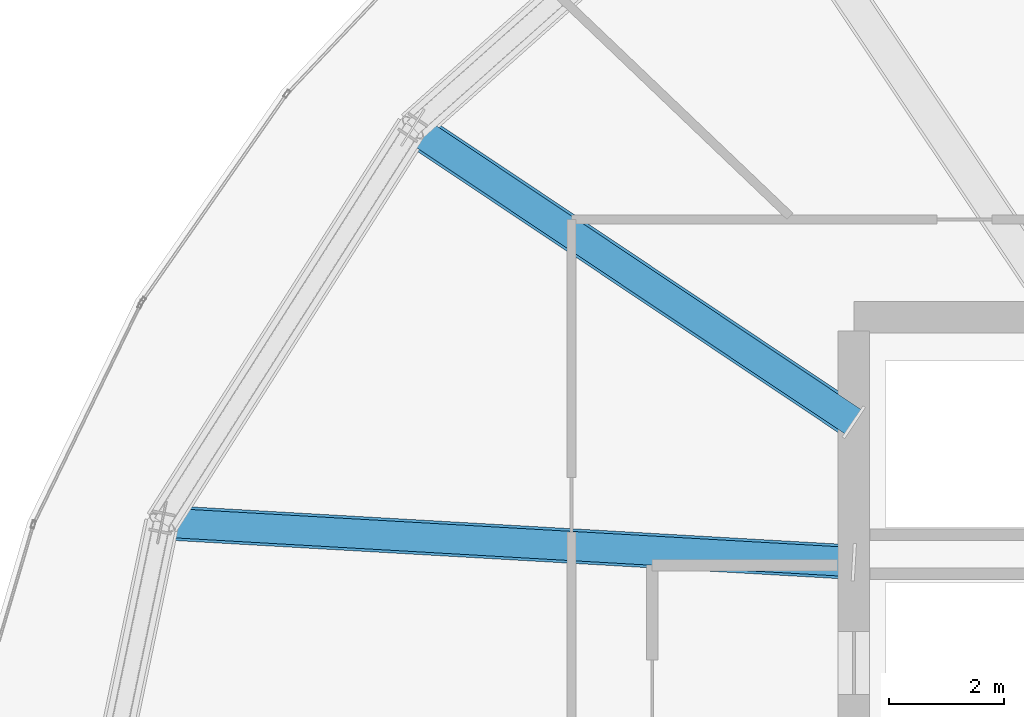
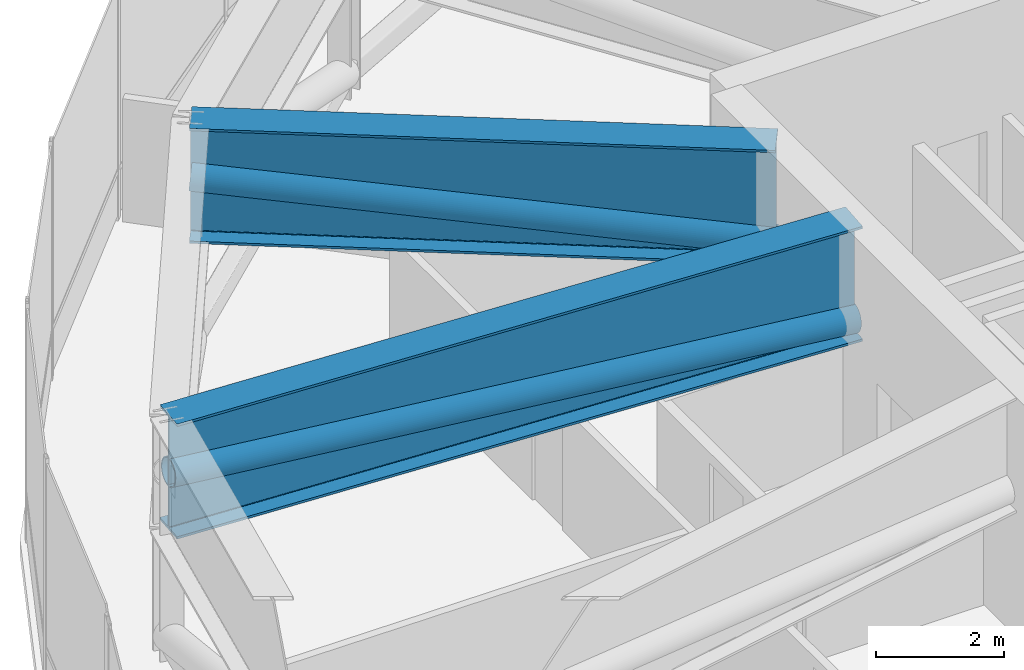
# One storey, part 12 of 30: 2 beams, 2 members.
"""IFC4 building model written with IfcOpenShell, lengths in metres."""

from ifc_helpers import new_model, si_unit, direction, frame, origin, origin_2d, place, context, subcontext, project, spatial, hollow_circle, i_section, extrude, source, transform, mapped, material, material_profile, profile_set, type_object, element, save


model = new_model("IFC4")

# Units and contexts
model_context = context("Model", 3, precision=1e-05, world=origin(), true_north=direction((0.0, 1.0)))
body_context = subcontext(model_context, "Body", "Model", "MODEL_VIEW")
ifc_project = project(units=[si_unit("LENGTHUNIT", "METRE"), si_unit("AREAUNIT", "SQUARE_METRE"), si_unit("VOLUMEUNIT", "CUBIC_METRE"), si_unit("PLANEANGLEUNIT", "RADIAN"), si_unit("MASSUNIT", "GRAM", prefix="KILO"), si_unit("THERMODYNAMICTEMPERATUREUNIT", "KELVIN")], contexts=[model_context])

# Site, building, storey
site_placement = place(None, origin())
site = spatial("IfcSite", under=ifc_project, at=site_placement, CompositionType="ELEMENT")
building_placement = place(site_placement, origin())
building = spatial("IfcBuilding", under=site, at=building_placement, Name="Kethvar Cultural Tower", CompositionType="ELEMENT")
storey_placement = place(building_placement, frame((0.0, 0.0, 171.39990234375)))
storey = spatial("IfcBuildingStorey", under=building, at=storey_placement, Name="L44", CompositionType="ELEMENT", Elevation=171.39990234375)

# Beam
ifc_material = material(Name="Steel S460M", Category="steel")
ifc_material_profile_1 = material_profile(ifc_material, i_section(OverallWidth=0.60009765625, OverallDepth=2.199951171875, WebThickness=0.028076171875, FlangeThickness=0.044921875, FilletRadius=0.02197265625, at=origin_2d()), Name="Steel S460M — PG2200x600x45x28")
ifc_profile_set_1 = profile_set([ifc_material_profile_1], Name="Steel S460M — PG2200x600x45x28")
beam_type = type_object("IfcBeamType", Name="BM-TR2200", PredefinedType="BEAM", material=ifc_profile_set_1)
shared_shape_1 = source(origin(), body_context, "Body", "SweptSolid", [
    extrude(i_section(OverallWidth=0.60009765625, OverallDepth=2.199951171875, WebThickness=0.028076171875, FlangeThickness=0.044921875, FilletRadius=0.02197265625, at=origin_2d()), origin(), (0.0, 0.0, 1.0), 9.205322265625),
])
beam_1_placement = place(storey_placement, frame((38.0, 33.679931640625, 3.47802734375), z_axis=(-0.831470451236, 0.555568977465, 0.0), x_axis=(-0.555568977465, -0.831470451236, 0.0)))
element("IfcBeam", 1, at=beam_1_placement, inside=storey, type_object=beam_type, Name="L44 Outrigger Transfer Girder OG-07", PredefinedType="BEAM", context=body_context, shape_type="MappedRepresentation", body=[
    mapped(shared_shape_1, transform((0.0, 0.0, 0.0), scale=1.0)),
])

# Member
ifc_material_profile_2 = material_profile(ifc_material, hollow_circle(Radius=0.25390625, WallThickness=0.02001953125, at=origin_2d()), Name="Steel S460M — CHS508x20")
ifc_profile_set_2 = profile_set([ifc_material_profile_2], Name="Steel S460M — CHS508x20")
member_type = type_object("IfcMemberType", Name="MB-OUT-508", PredefinedType="BRACE", material=ifc_profile_set_2)
shared_shape_2 = source(origin(), body_context, "Body", "SweptSolid", [
    extrude(hollow_circle(Radius=0.25390625, WallThickness=0.02001953125, at=origin_2d()), origin(), (0.0, 0.0, 1.0), 9.24267578125),
])
member_1_placement = place(storey_placement, frame((38.0, 33.679931640625, 2.650146484375), z_axis=(-0.828128204551, 0.553335766927, 0.089572349897), x_axis=(-0.555568977465, -0.831470451236, 0.0)))
element("IfcMember", 2, at=member_1_placement, inside=storey, type_object=member_type, Name="L44 Outrigger Truss Diagonal OB-07", PredefinedType="BRACE", context=body_context, shape_type="MappedRepresentation", body=[
    mapped(shared_shape_2, transform((0.0, 0.0, 0.0), scale=1.0)),
])

# Beam
shared_shape_3 = source(origin(), body_context, "Body", "SweptSolid", [
    extrude(i_section(OverallWidth=0.60009765625, OverallDepth=2.199951171875, WebThickness=0.028076171875, FlangeThickness=0.044921875, FilletRadius=0.02197265625, at=origin_2d()), origin(), (0.0, 0.0, 1.0), 12.03125),
])
beam_2_placement = place(storey_placement, frame((38.0, 31.25, 3.47802734375), z_axis=(-0.998355544741, 0.057325441856, 0.0), x_axis=(-0.057325441856, -0.998355544741, 0.0)))
element("IfcBeam", 3, at=beam_2_placement, inside=storey, type_object=beam_type, Name="L44 Outrigger Transfer Girder OG-08", PredefinedType="BEAM", context=body_context, shape_type="MappedRepresentation", body=[
    mapped(shared_shape_3, transform((0.0, 0.0, 0.0), scale=1.0)),
])

# Member
shared_shape_4 = source(origin(), body_context, "Body", "SweptSolid", [
    extrude(hollow_circle(Radius=0.25390625, WallThickness=0.02001953125, at=origin_2d()), origin(), (0.0, 0.0, 1.0), 12.059814453125),
])
member_2_placement = place(storey_placement, frame((38.0, 31.25, 2.650146484375), z_axis=(-0.996000333816, 0.05719020596, 0.068648491473), x_axis=(-0.057325441856, -0.998355544741, 0.0)))
element("IfcMember", 4, at=member_2_placement, inside=storey, type_object=member_type, Name="L44 Outrigger Truss Diagonal OB-08", PredefinedType="BRACE", context=body_context, shape_type="MappedRepresentation", body=[
    mapped(shared_shape_4, transform((0.0, 0.0, 0.0), scale=1.0)),
])

save(model, "model.ifc")
